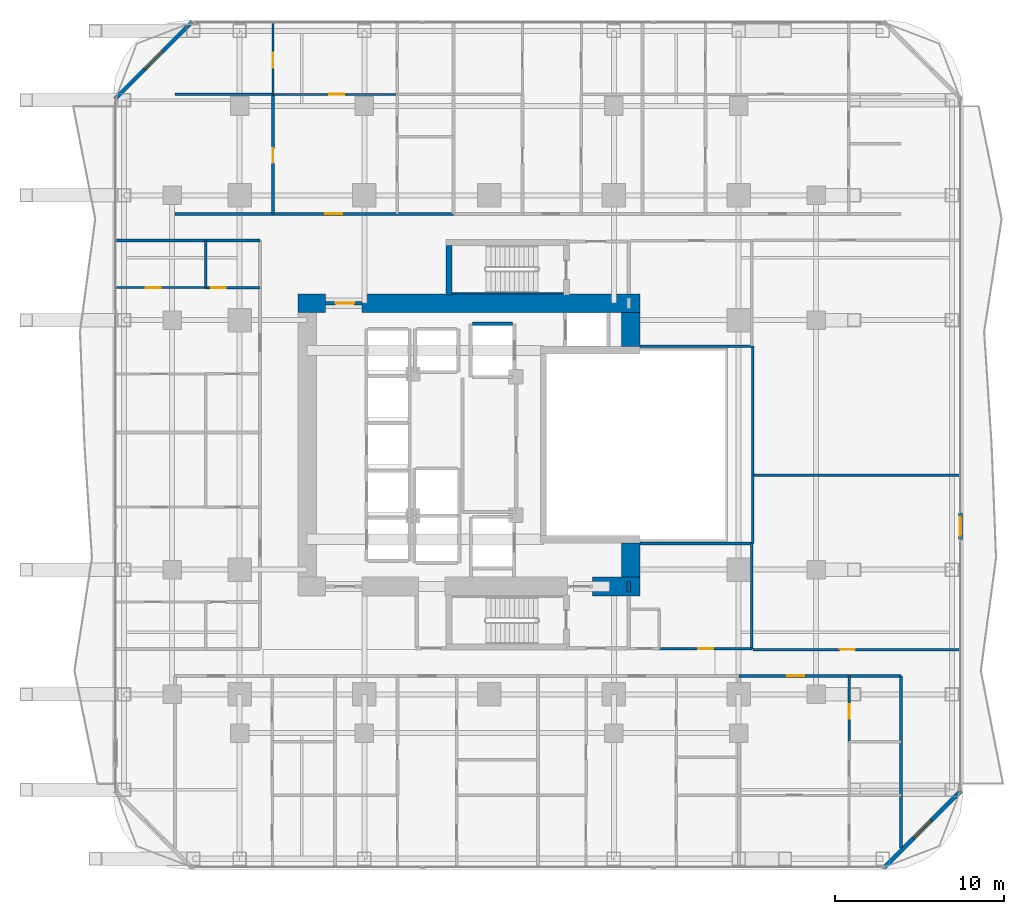
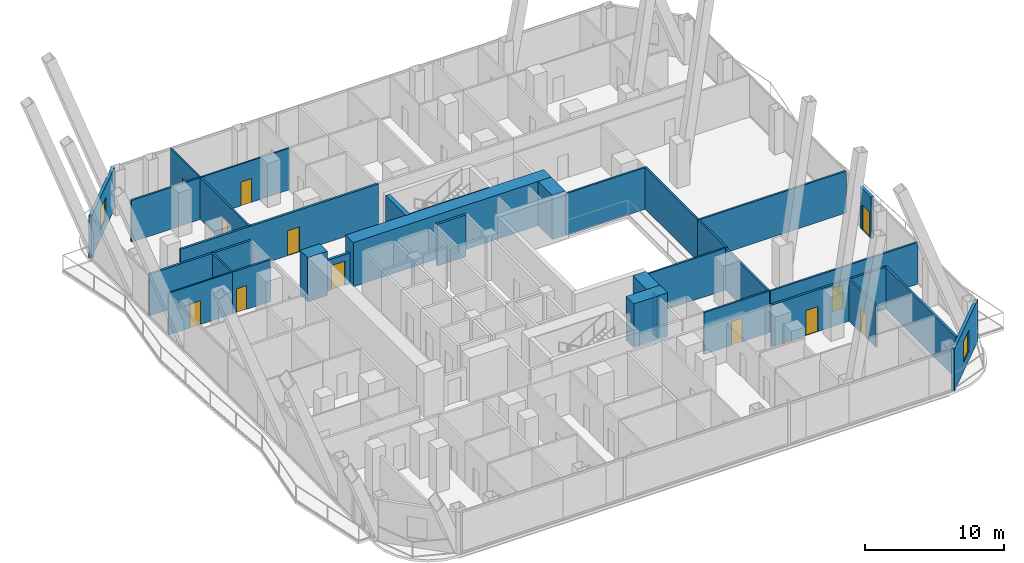
# One storey, part 28 of 33: 33 walls, 12 doors, 2 windows, 14 openings.
"""IFC4 building model written with IfcOpenShell, lengths in metres."""

from ifc_helpers import new_model, si_unit, direction, frame, frame_2d, origin, place, context, subcontext, project, spatial, rectangle, extrude, material, layer, layer_set, type_object, element, fill, save


model = new_model("IFC4")

# Units and contexts
model_context = context("Model", 3, precision=1e-05, world=origin(), true_north=direction((0.0, 1.0)))
body_context = subcontext(model_context, "Body", "Model", "MODEL_VIEW")
ifc_project = project(units=[si_unit("LENGTHUNIT", "METRE"), si_unit("AREAUNIT", "SQUARE_METRE"), si_unit("VOLUMEUNIT", "CUBIC_METRE"), si_unit("PLANEANGLEUNIT", "RADIAN"), si_unit("MASSUNIT", "GRAM", prefix="KILO")], contexts=[model_context])

# Site, building, storey
site_placement = place(None, origin())
site = spatial("IfcSite", under=ifc_project, at=site_placement, CompositionType="ELEMENT")
building_placement = place(site_placement, origin())
building = spatial("IfcBuilding", under=site, at=building_placement, Name="Khorvyn Point Tower", CompositionType="ELEMENT")
storey_placement = place(building_placement, frame((0.0, 0.0, 38.39990234375)))
storey = spatial("IfcBuildingStorey", under=building, at=storey_placement, Name="L10", CompositionType="ELEMENT", Elevation=38.39990234375)

# Wall, opening, door
ifc_material_1 = material(Name="Double acoustic gypsum on twin steel stud", Category="steel")
ifc_layer_1 = layer(ifc_material_1, 0.179931640625)
ifc_layer_set_1 = layer_set([ifc_layer_1], Name="Acoustic Double-Stud Apartment Demising Wall 180")
wall_type_1 = type_object("IfcWallType", Name="Acoustic Double-Stud Apartment Demising Wall 180", PredefinedType="PARTITIONING", material=ifc_layer_set_1)
wall_1_placement = place(storey_placement, frame((-18.6201171875, 13.699951171875, 0.0), z_axis=(0.0, 0.0, 1.0), x_axis=(1.0, 0.0, 0.0)))
wall_1 = element("IfcWall", 1, at=wall_1_placement, inside=storey, type_object=wall_type_1, Name="Wall", PredefinedType="PARTITIONING", context=body_context, shape_type="SweptSolid", body=[
    extrude(rectangle(XDim=16.4990234375, YDim=0.179931640625, at=frame_2d((8.24951171875, 0.0))), origin(), (0.0, 0.0, 1.0), 3.68017578125),
])
opening_1_placement = place(wall_1_placement, frame((8.91015625, 0.0, 0.0)))
opening_1 = element("IfcOpeningElement", 2, at=opening_1_placement, cuts=wall_1, Name="Opening ID-AP60", PredefinedType="OPENING", context=body_context, shape_type="SweptSolid", body=[
    extrude(rectangle(XDim=1.0, YDim=2.199951171875, at=frame_2d((0.5, 1.10009765625))), frame((0.0, 0.099853515625, 0.0), z_axis=(0.0, -1.0, 0.0), x_axis=(1.0, 0.0, 0.0)), (0.0, 0.0, 1.0), 0.199951171875),
])
ifc_material_2 = material(Name="Engineered hardwood fire-rated leaf", Category="wood")
door_type_1 = type_object("IfcDoorType", Name="Acoustic Solid-Core Timber Apartment Entrance Door 1000x2200", OperationType="NOTDEFINED", PredefinedType="DOOR", material=ifc_material_2)
door_1_placement = place(opening_1_placement, origin())
door_1 = element("IfcDoor", 3, at=door_1_placement, inside=storey, type_object=door_type_1, Name="Door", OperationType="SINGLE_SWING_RIGHT", OverallHeight=2.199951171875, OverallWidth=1.0, PredefinedType="DOOR", context=body_context, shape_type="SweptSolid", body=[
    extrude(rectangle(XDim=1.0, YDim=2.199951171875, at=frame_2d((0.5, 1.10009765625))), frame((0.0, 0.02490234375, 0.0), z_axis=(0.0, -1.0, 0.0), x_axis=(1.0, 0.0, 0.0)), (0.0, 0.0, 1.0), 0.050048828125),
])
fill(opening_1, door_1)

wall_2_placement = place(storey_placement, frame((14.822021484375, -13.699951171875, 0.0), z_axis=(0.0, 0.0, 1.0), x_axis=(1.0, 0.0, 0.0)))
wall_2 = element("IfcWall", 4, at=wall_2_placement, inside=storey, type_object=wall_type_1, Name="Wall", PredefinedType="PARTITIONING", context=body_context, shape_type="SweptSolid", body=[
    extrude(rectangle(XDim=9.597900390625, YDim=0.179931640625, at=frame_2d((4.798828125, 0.0))), origin(), (0.0, 0.0, 1.0), 3.68017578125),
])
opening_2_placement = place(wall_2_placement, frame((2.859375, 0.0, 0.0)))
opening_2 = element("IfcOpeningElement", 5, at=opening_2_placement, cuts=wall_2, Name="Opening ID-AP60", PredefinedType="OPENING", context=body_context, shape_type="SweptSolid", body=[
    extrude(rectangle(XDim=1.0, YDim=2.199951171875, at=frame_2d((0.5, 1.10009765625))), frame((0.0, 0.099853515625, 0.0), z_axis=(0.0, -1.0, 0.0), x_axis=(1.0, 0.0, 0.0)), (0.0, 0.0, 1.0), 0.199951171875),
])
door_2_placement = place(opening_2_placement, origin())
door_2 = element("IfcDoor", 6, at=door_2_placement, inside=storey, type_object=door_type_1, Name="Door", OperationType="SINGLE_SWING_LEFT", OverallHeight=2.199951171875, OverallWidth=1.0, PredefinedType="DOOR", context=body_context, shape_type="SweptSolid", body=[
    extrude(rectangle(XDim=1.0, YDim=2.199951171875, at=frame_2d((0.5, 1.10009765625))), frame((0.0, 0.02490234375, 0.0), z_axis=(0.0, -1.0, 0.0), x_axis=(1.0, 0.0, 0.0)), (0.0, 0.0, 1.0), 0.050048828125),
])
fill(opening_2, door_2)

# Walls
wall_3_placement = place(storey_placement, frame((24.419921875, -23.909912109375, 0.0), z_axis=(0.0, 0.0, 1.0), x_axis=(0.0, 1.0, 0.0)))
element("IfcWall", 7, at=wall_3_placement, inside=storey, type_object=wall_type_1, Name="Wall", PredefinedType="PARTITIONING", context=body_context, shape_type="SweptSolid", body=[
    extrude(rectangle(XDim=10.2099609375, YDim=0.179931640625, at=frame_2d((5.10498046875, 0.0))), origin(), (0.0, 0.0, 1.0), 3.68017578125),
])
wall_4_placement = place(storey_placement, frame((-22.1298828125, 12.1201171875, 0.0), z_axis=(0.0, 0.0, 1.0), x_axis=(1.0, 0.0, 0.0)))
element("IfcWall", 8, at=wall_4_placement, inside=storey, type_object=wall_type_1, Name="Wall", PredefinedType="PARTITIONING", context=body_context, shape_type="SweptSolid", body=[
    extrude(rectangle(XDim=8.52978515625, YDim=0.179931640625, at=frame_2d((4.264892578125, 0.0))), origin(), (0.0, 0.0, 1.0), 3.68017578125),
])

# Wall, opening, door
ifc_material_3 = material(Name="Pale anodised aluminium rainscreen on steel stud", Category="steel")
ifc_layer_2 = layer(ifc_material_3, 0.239990234375)
ifc_layer_set_2 = layer_set([ifc_layer_2], Name="Anodised Aluminium Insulated Corner Spandrel Wall 240")
wall_type_2 = type_object("IfcWallType", Name="Anodised Aluminium Insulated Corner Spandrel Wall 240", PredefinedType="SOLIDWALL", material=ifc_layer_set_2)
wall_5_placement = place(storey_placement, frame((27.949951171875, -4.0400390625, 0.0), z_axis=(0.0, 0.0, 1.0), x_axis=(0.0, -1.0, 0.0)))
wall_5 = element("IfcWall", 9, at=wall_5_placement, inside=storey, type_object=wall_type_2, Name="L10 East Outdoor Threshold Wall", PredefinedType="SOLIDWALL", context=body_context, shape_type="SweptSolid", body=[
    extrude(rectangle(XDim=1.580078125, YDim=0.239990234375, at=frame_2d((0.7900390625, 0.0))), origin(), (0.0, 0.0, 1.0), 3.68017578125),
])
opening_3_placement = place(wall_5_placement, frame((0.239990234375, 0.0, 0.0)))
opening_3 = element("IfcOpeningElement", 10, at=opening_3_placement, cuts=wall_5, Name="Opening BD-1122", PredefinedType="OPENING", context=body_context, shape_type="SweptSolid", body=[
    extrude(rectangle(XDim=1.10009765625, YDim=2.199951171875, at=frame_2d((0.550048828125, 1.10009765625))), frame((0.0, 0.1298828125, 0.0), z_axis=(0.0, -1.0, 0.0), x_axis=(1.0, 0.0, 0.0)), (0.0, 0.0, 1.0), 0.260009765625),
])
ifc_material_4 = material(Name="Anodised aluminium 6063-T6 and laminated Low-E glass", Category="aluminium")
door_type_2 = type_object("IfcDoorType", Name="Glazed Balcony and Terrace Threshold Door 1100x2200", OperationType="NOTDEFINED", PredefinedType="DOOR", material=ifc_material_4)
door_3_placement = place(opening_3_placement, origin())
door_3 = element("IfcDoor", 11, at=door_3_placement, inside=storey, type_object=door_type_2, Name="L10 East Glazed Balcony Outdoor Door", OperationType="SINGLE_SWING_LEFT", OverallHeight=2.199951171875, OverallWidth=1.10009765625, PredefinedType="DOOR", context=body_context, shape_type="SweptSolid", body=[
    extrude(rectangle(XDim=1.10009765625, YDim=2.199951171875, at=frame_2d((0.550048828125, 1.10009765625))), frame((0.0, 0.02490234375, 0.0), z_axis=(0.0, -1.0, 0.0), x_axis=(1.0, 0.0, 0.0)), (0.0, 0.0, 1.0), 0.050048828125),
])
fill(opening_3, door_3)

# Wall, opening, window
wall_6_placement = place(storey_placement, frame((-22.1923828125, 20.507568359375, 0.0), z_axis=(0.0, 0.0, 1.0), x_axis=(0.707106781187, 0.707106781187, 0.0)))
wall_6 = element("IfcWall", 12, at=wall_6_placement, inside=storey, type_object=wall_type_2, Name="L10 Rounded Corner Wall NW", PredefinedType="SOLIDWALL", context=body_context, shape_type="SweptSolid", body=[
    extrude(rectangle(XDim=6.48388671875, YDim=0.239990234375, at=frame_2d((3.241943359375, 0.0))), origin(), (0.0, 0.0, 1.0), 3.68017578125),
])
opening_4_placement = place(wall_6_placement, frame((2.491943359375, 0.0, 0.800048828125)))
opening_4 = element("IfcOpeningElement", 13, at=opening_4_placement, cuts=wall_6, Name="Opening WN-1518", PredefinedType="OPENING", context=body_context, shape_type="SweptSolid", body=[
    extrude(rectangle(XDim=1.5, YDim=1.85009765625, at=frame_2d((0.75, 0.925048828125))), frame((0.0, 0.1298828125, 0.0), z_axis=(0.0, -1.0, 0.0), x_axis=(1.0, 0.0, 0.0)), (0.0, 0.0, 1.0), 0.260009765625),
])
window_type = type_object("IfcWindowType", Name="Anodised Aluminium Rounded-Corner Panoramic Window 1500x1850", PartitioningType="SINGLE_PANEL", PredefinedType="WINDOW", material=ifc_material_4)
window_1_placement = place(opening_4_placement, origin())
window_1 = element("IfcWindow", 14, at=window_1_placement, inside=storey, type_object=window_type, Name="L10 Corner Panoramic Window NW", OverallHeight=1.85009765625, OverallWidth=1.5, PartitioningType="SINGLE_PANEL", PredefinedType="WINDOW", context=body_context, shape_type="SweptSolid", body=[
    extrude(rectangle(XDim=1.5, YDim=1.85009765625, at=frame_2d((0.75, 0.925048828125))), frame((0.0, 0.030029296875, 0.0), z_axis=(0.0, -1.0, 0.0), x_axis=(1.0, 0.0, 0.0)), (0.0, 0.0, 1.0), 0.06005859375),
])
fill(opening_4, window_1)

wall_7_placement = place(storey_placement, frame((27.992431640625, -20.507568359375, 0.0), z_axis=(0.0, 0.0, 1.0), x_axis=(-0.707106781187, -0.707106781187, 0.0)))
wall_7 = element("IfcWall", 15, at=wall_7_placement, inside=storey, type_object=wall_type_2, Name="L10 Rounded Corner Wall SE", PredefinedType="SOLIDWALL", context=body_context, shape_type="SweptSolid", body=[
    extrude(rectangle(XDim=6.48388671875, YDim=0.239990234375, at=frame_2d((3.241943359375, 0.0))), origin(), (0.0, 0.0, 1.0), 3.68017578125),
])
opening_5_placement = place(wall_7_placement, frame((2.491943359375, 0.0, 0.800048828125)))
opening_5 = element("IfcOpeningElement", 16, at=opening_5_placement, cuts=wall_7, Name="Opening WN-1518", PredefinedType="OPENING", context=body_context, shape_type="SweptSolid", body=[
    extrude(rectangle(XDim=1.5, YDim=1.85009765625, at=frame_2d((0.75, 0.925048828125))), frame((0.0, 0.1298828125, 0.0), z_axis=(0.0, -1.0, 0.0), x_axis=(1.0, 0.0, 0.0)), (0.0, 0.0, 1.0), 0.260009765625),
])
window_2_placement = place(opening_5_placement, origin())
window_2 = element("IfcWindow", 17, at=window_2_placement, inside=storey, type_object=window_type, Name="L10 Corner Panoramic Window SE", OverallHeight=1.85009765625, OverallWidth=1.5, PartitioningType="SINGLE_PANEL", PredefinedType="WINDOW", context=body_context, shape_type="SweptSolid", body=[
    extrude(rectangle(XDim=1.5, YDim=1.85009765625, at=frame_2d((0.75, 0.925048828125))), frame((0.0, 0.030029296875, 0.0), z_axis=(0.0, -1.0, 0.0), x_axis=(1.0, 0.0, 0.0)), (0.0, 0.0, 1.0), 0.06005859375),
])
fill(opening_5, window_2)

# Wall, opening, door
ifc_material_5 = material(Name="Concrete C40/50", Category="concrete")
ifc_layer_3 = layer(ifc_material_5, 0.199951171875)
ifc_layer_set_3 = layer_set([ifc_layer_3], Name="Concrete C40/50 Fire-Lobby Compartment Wall 200")
wall_type_3 = type_object("IfcWallType", Name="Concrete C40/50 Fire-Lobby Compartment Wall 200", PredefinedType="SOLIDWALL", material=ifc_layer_set_3)
wall_8_placement = place(storey_placement, frame((-9.699951171875, 8.39990234375, 0.0), z_axis=(0.0, 0.0, 1.0), x_axis=(1.0, 0.0, 0.0)))
wall_8 = element("IfcWall", 18, at=wall_8_placement, inside=storey, type_object=wall_type_3, Name="Wall", PredefinedType="SOLIDWALL", context=body_context, shape_type="SweptSolid", body=[
    extrude(rectangle(XDim=2.14990234375, YDim=0.199951171875, at=frame_2d((1.074951171875, 0.0))), origin(), (0.0, 0.0, 1.0), 2.72021484375),
])
opening_6_placement = place(wall_8_placement, frame((0.597900390625, 0.0, 0.0)))
opening_6 = element("IfcOpeningElement", 19, at=opening_6_placement, cuts=wall_8, Name="Opening ID-FL90", PredefinedType="OPENING", context=body_context, shape_type="SweptSolid", body=[
    extrude(rectangle(XDim=1.10009765625, YDim=2.14990234375, at=frame_2d((0.550048828125, 1.074951171875))), frame((0.0, 0.10986328125, 0.0), z_axis=(0.0, -1.0, 0.0), x_axis=(1.0, 0.0, 0.0)), (0.0, 0.0, 1.0), 0.219970703125),
])
ifc_material_6 = material(Name="Galvanised powder-coated steel", Category="steel")
door_type_3 = type_object("IfcDoorType", Name="Fire-Rated Steel Lobby and Stair Door 1100x2150", OperationType="NOTDEFINED", PredefinedType="DOOR", material=ifc_material_6)
door_4_placement = place(opening_6_placement, origin())
door_4 = element("IfcDoor", 20, at=door_4_placement, inside=storey, type_object=door_type_3, Name="Door", OperationType="SINGLE_SWING_RIGHT", OverallHeight=2.14990234375, OverallWidth=1.10009765625, PredefinedType="DOOR", context=body_context, shape_type="SweptSolid", body=[
    extrude(rectangle(XDim=1.10009765625, YDim=2.14990234375, at=frame_2d((0.550048828125, 1.074951171875))), frame((0.0, 0.02490234375, 0.0), z_axis=(0.0, -1.0, 0.0), x_axis=(1.0, 0.0, 0.0)), (0.0, 0.0, 1.0), 0.050048828125),
])
fill(opening_6, door_4)

# Walls
wall_9_placement = place(storey_placement, frame((8.280029296875, -8.72509765625, 0.0), z_axis=(0.0, 0.0, 1.0), x_axis=(0.0, 1.0, 0.0)))
element("IfcWall", 21, at=wall_9_placement, inside=storey, type_object=wall_type_3, Name="Wall", PredefinedType="SOLIDWALL", context=body_context, shape_type="SweptSolid", body=[
    extrude(rectangle(XDim=0.625, YDim=0.199951171875, at=frame_2d((0.3125, 0.0))), origin(), (0.0, 0.0, 1.0), 3.68017578125),
])
ifc_layer_4 = layer(ifc_material_5, 0.25)
ifc_layer_set_4 = layer_set([ifc_layer_4], Name="Concrete C40/50 Stair Inner Cheek Structural Wall 250")
wall_type_4 = type_object("IfcWallType", Name="Concrete C40/50 Stair Inner Cheek Structural Wall 250", PredefinedType="SHEAR", material=ifc_layer_set_4)
wall_10_placement = place(storey_placement, frame((-2.199951171875, 8.987548828125, 0.0), z_axis=(0.0, 0.0, 1.0), x_axis=(1.0, 0.0, 0.0)))
element("IfcWall", 22, at=wall_10_placement, inside=storey, type_object=wall_type_4, Name="Wall", PredefinedType="SHEAR", context=body_context, shape_type="SweptSolid", body=[
    extrude(rectangle(XDim=6.599853515625, YDim=0.074951171875, at=frame_2d((3.2998046875, 0.0))), origin(), (0.0, 0.0, 1.0), 3.900146484375),
])
ifc_layer_5 = layer(ifc_material_5, 0.35009765625)
ifc_layer_set_5 = layer_set([ifc_layer_5], Name="Concrete C40/50 Stair Shaft Structural Wall 350")
wall_type_5 = type_object("IfcWallType", Name="Concrete C40/50 Stair Shaft Structural Wall 350", PredefinedType="SHEAR", material=ifc_layer_set_5)
wall_11_placement = place(storey_placement, frame((-2.3798828125, 8.89990234375, 0.0), z_axis=(0.0, 0.0, 1.0), x_axis=(0.0, 1.0, 0.0)))
element("IfcWall", 23, at=wall_11_placement, inside=storey, type_object=wall_type_5, Name="L10 ST-02 West Shaft Wall", PredefinedType="SHEAR", context=body_context, shape_type="SweptSolid", body=[
    extrude(rectangle(XDim=2.925048828125, YDim=0.35009765625, at=frame_2d((1.46240234375, 0.0))), origin(), (0.0, 0.0, 1.0), 3.900146484375),
])
ifc_layer_6 = layer(ifc_material_5, 0.199951171875)
ifc_layer_set_6 = layer_set([ifc_layer_6], Name="Concrete C40/50 Structural Hoistway and Stair Shaft Wall 200")
wall_type_6 = type_object("IfcWallType", Name="Concrete C40/50 Structural Hoistway and Stair Shaft Wall 200", PredefinedType="SHEAR", material=ifc_layer_set_6)
wall_12_placement = place(storey_placement, frame((-1.0, 7.175048828125, 0.0), z_axis=(0.0, 0.0, 1.0), x_axis=(1.0, 0.0, 0.0)))
element("IfcWall", 24, at=wall_12_placement, inside=storey, type_object=wall_type_6, Name="Wall", PredefinedType="SHEAR", context=body_context, shape_type="SweptSolid", body=[
    extrude(rectangle(XDim=2.39990234375, YDim=0.199951171875, at=frame_2d((1.199951171875, 0.0))), origin(), (0.0, 0.0, 1.0), 3.68017578125),
])
ifc_material_7 = material(Name="Concrete C50/60", Category="concrete")
ifc_layer_7 = layer(ifc_material_7, 1.10009765625)
ifc_layer_set_7 = layer_set([ifc_layer_7], Name="Concrete C50/60 Core Shear Wall 1100")
wall_type_7 = type_object("IfcWallType", Name="Concrete C50/60 Core Shear Wall 1100", PredefinedType="SHEAR", material=ifc_layer_set_7)
wall_13_placement = place(storey_placement, frame((6.1201171875, -8.39990234375, 0.0), z_axis=(0.0, 0.0, 1.0), x_axis=(1.0, 0.0, 0.0)))
element("IfcWall", 25, at=wall_13_placement, inside=storey, type_object=wall_type_7, Name="Wall", PredefinedType="SHEAR", context=body_context, shape_type="SweptSolid", body=[
    extrude(rectangle(XDim=2.829833984375, YDim=1.10009765625, at=frame_2d((1.4150390625, 0.0))), origin(), (0.0, 0.0, 1.0), 3.900146484375),
])
wall_14_placement = place(storey_placement, frame((-11.35009765625, 8.39990234375, 0.0), z_axis=(0.0, 0.0, 1.0), x_axis=(1.0, 0.0, 0.0)))
element("IfcWall", 26, at=wall_14_placement, inside=storey, type_object=wall_type_7, Name="Wall", PredefinedType="SHEAR", context=body_context, shape_type="SweptSolid", body=[
    extrude(rectangle(XDim=1.650146484375, YDim=1.10009765625, at=frame_2d((0.8251953125, 0.0))), origin(), (0.0, 0.0, 1.0), 3.900146484375),
])
wall_15_placement = place(storey_placement, frame((-7.550048828125, 8.39990234375, 0.0), z_axis=(0.0, 0.0, 1.0), x_axis=(1.0, 0.0, 0.0)))
element("IfcWall", 27, at=wall_15_placement, inside=storey, type_object=wall_type_7, Name="Wall", PredefinedType="SHEAR", context=body_context, shape_type="SweptSolid", body=[
    extrude(rectangle(XDim=16.5, YDim=1.10009765625, at=frame_2d((8.25, 0.0))), origin(), (0.0, 0.0, 1.0), 3.900146484375),
])
for number, where, z_axis, x_axis, name in (
    (28, (8.39990234375, -7.85009765625, 0.0), (0.0, 0.0, 1.0), (0.0, 1.0, 0.0), "Wall"),
    (29, (8.39990234375, 5.824951171875, 0.0), (0.0, 0.0, 1.0), (0.0, 1.0, 0.0), "Wall"),
):
    element("IfcWall", number, at=place(storey_placement, frame(where, z_axis=z_axis, x_axis=x_axis)), inside=storey, type_object=wall_type_7, Name=name, PredefinedType="SHEAR", context=body_context, shape_type="SweptSolid", body=[
        extrude(rectangle(XDim=2.025146484375, YDim=1.10009765625, at=frame_2d((1.0126953125, 0.0))), origin(), (0.0, 0.0, 1.0), 3.900146484375),
    ])

# Wall, opening, door
ifc_material_8 = material(Name="Gypsum plasterboard on steel stud", Category="steel")
ifc_layer_8 = layer(ifc_material_8, 0.1201171875)
ifc_layer_set_8 = layer_set([ifc_layer_8], Name="Gypsum Acoustic Stud Room Partition Wall 120")
wall_type_8 = type_object("IfcWallType", Name="Gypsum Acoustic Stud Room Partition Wall 120", PredefinedType="PARTITIONING", material=ifc_layer_set_8)
wall_16_placement = place(storey_placement, frame((-12.818115234375, 20.7900390625, 0.0), z_axis=(0.0, 0.0, 1.0), x_axis=(1.0, 0.0, 0.0)))
wall_16 = element("IfcWall", 30, at=wall_16_placement, inside=storey, type_object=wall_type_8, Name="Wall", PredefinedType="PARTITIONING", context=body_context, shape_type="SweptSolid", body=[
    extrude(rectangle(XDim=7.3681640625, YDim=0.1201171875, at=frame_2d((3.68408203125, 0.0))), origin(), (0.0, 0.0, 1.0), 3.68017578125),
])
opening_7_placement = place(wall_16_placement, frame((3.32177734375, 0.0, 0.0)))
opening_7 = element("IfcOpeningElement", 31, at=opening_7_placement, cuts=wall_16, Name="Opening ID-RM90", PredefinedType="OPENING", context=body_context, shape_type="SweptSolid", body=[
    extrude(rectangle(XDim=0.89990234375, YDim=2.10009765625, at=frame_2d((0.449951171875, 1.050048828125))), frame((0.0, 0.070068359375, 0.0), z_axis=(0.0, -1.0, 0.0), x_axis=(1.0, 0.0, 0.0)), (0.0, 0.0, 1.0), 0.14013671875),
])
ifc_material_9 = material(Name="Engineered oak veneer timber", Category="wood")
door_type_4 = type_object("IfcDoorType", Name="Flush Engineered Timber Room Door 900x2100", OperationType="NOTDEFINED", PredefinedType="DOOR", material=ifc_material_9)
door_5_placement = place(opening_7_placement, origin())
door_5 = element("IfcDoor", 32, at=door_5_placement, inside=storey, type_object=door_type_4, Name="Door", OperationType="SINGLE_SWING_LEFT", OverallHeight=2.10009765625, OverallWidth=0.89990234375, PredefinedType="DOOR", context=body_context, shape_type="SweptSolid", body=[
    extrude(rectangle(XDim=0.89990234375, YDim=2.10009765625, at=frame_2d((0.449951171875, 1.050048828125))), frame((0.0, 0.02490234375, 0.0), z_axis=(0.0, -1.0, 0.0), x_axis=(1.0, 0.0, 0.0)), (0.0, 0.0, 1.0), 0.050048828125),
])
fill(opening_7, door_5)

wall_17_placement = place(storey_placement, frame((-12.818115234375, 20.7900390625, 0.0), z_axis=(0.0, 0.0, 1.0), x_axis=(0.0, 1.0, 0.0)))
wall_17 = element("IfcWall", 33, at=wall_17_placement, inside=storey, type_object=wall_type_8, Name="Wall", PredefinedType="PARTITIONING", context=body_context, shape_type="SweptSolid", body=[
    extrude(rectangle(XDim=4.239990234375, YDim=0.1201171875, at=frame_2d((2.1201171875, 0.0))), origin(), (0.0, 0.0, 1.0), 3.68017578125),
])
opening_8_placement = place(wall_17_placement, frame((1.581298828125, 0.0, 0.0)))
opening_8 = element("IfcOpeningElement", 34, at=opening_8_placement, cuts=wall_17, Name="Opening ID-RM90", PredefinedType="OPENING", context=body_context, shape_type="SweptSolid", body=[
    extrude(rectangle(XDim=0.89990234375, YDim=2.10009765625, at=frame_2d((0.449951171875, 1.050048828125))), frame((0.0, 0.070068359375, 0.0), z_axis=(0.0, -1.0, 0.0), x_axis=(1.0, 0.0, 0.0)), (0.0, 0.0, 1.0), 0.14013671875),
])
door_6_placement = place(opening_8_placement, origin())
door_6 = element("IfcDoor", 35, at=door_6_placement, inside=storey, type_object=door_type_4, Name="Door", OperationType="SINGLE_SWING_LEFT", OverallHeight=2.10009765625, OverallWidth=0.89990234375, PredefinedType="DOOR", context=body_context, shape_type="SweptSolid", body=[
    extrude(rectangle(XDim=0.89990234375, YDim=2.10009765625, at=frame_2d((0.449951171875, 1.050048828125))), frame((0.0, 0.02490234375, 0.0), z_axis=(0.0, -1.0, 0.0), x_axis=(1.0, 0.0, 0.0)), (0.0, 0.0, 1.0), 0.050048828125),
])
fill(opening_8, door_6)

wall_18_placement = place(storey_placement, frame((-22.1298828125, 9.320068359375, 0.0), z_axis=(0.0, 0.0, 1.0), x_axis=(1.0, 0.0, 0.0)))
wall_18 = element("IfcWall", 36, at=wall_18_placement, inside=storey, type_object=wall_type_8, Name="Wall", PredefinedType="PARTITIONING", context=body_context, shape_type="SweptSolid", body=[
    extrude(rectangle(XDim=5.32177734375, YDim=0.1201171875, at=frame_2d((2.660888671875, 0.0))), origin(), (0.0, 0.0, 1.0), 3.68017578125),
])
opening_9_placement = place(wall_18_placement, frame((1.76513671875, 0.0, 0.0)))
opening_9 = element("IfcOpeningElement", 37, at=opening_9_placement, cuts=wall_18, Name="Opening ID-RM90", PredefinedType="OPENING", context=body_context, shape_type="SweptSolid", body=[
    extrude(rectangle(XDim=0.89990234375, YDim=2.10009765625, at=frame_2d((0.449951171875, 1.050048828125))), frame((0.0, 0.070068359375, 0.0), z_axis=(0.0, -1.0, 0.0), x_axis=(1.0, 0.0, 0.0)), (0.0, 0.0, 1.0), 0.14013671875),
])
door_7_placement = place(opening_9_placement, origin())
door_7 = element("IfcDoor", 38, at=door_7_placement, inside=storey, type_object=door_type_4, Name="Door", OperationType="SINGLE_SWING_LEFT", OverallHeight=2.10009765625, OverallWidth=0.89990234375, PredefinedType="DOOR", context=body_context, shape_type="SweptSolid", body=[
    extrude(rectangle(XDim=0.89990234375, YDim=2.10009765625, at=frame_2d((0.449951171875, 1.050048828125))), frame((0.0, 0.02490234375, 0.0), z_axis=(0.0, -1.0, 0.0), x_axis=(1.0, 0.0, 0.0)), (0.0, 0.0, 1.0), 0.050048828125),
])
fill(opening_9, door_7)

ifc_material_10 = material(Name="Moisture-resistant gypsum and cement board", Category="gypsum")
ifc_layer_9 = layer(ifc_material_10, 0.14990234375)
ifc_layer_set_9 = layer_set([ifc_layer_9], Name="Moisture-Resistant Wet-Room Partition Wall 150")
wall_type_9 = type_object("IfcWallType", Name="Moisture-Resistant Wet-Room Partition Wall 150", PredefinedType="PARTITIONING", material=ifc_layer_set_9)
wall_19_placement = place(storey_placement, frame((10.10009765625, -12.10009765625, 0.0), z_axis=(0.0, 0.0, 1.0), x_axis=(1.0, 0.0, 0.0)))
wall_19 = element("IfcWall", 39, at=wall_19_placement, inside=storey, type_object=wall_type_9, Name="Wall", PredefinedType="PARTITIONING", context=body_context, shape_type="SweptSolid", body=[
    extrude(rectangle(XDim=5.47998046875, YDim=0.14990234375, at=frame_2d((2.739990234375, 0.0))), origin(), (0.0, 0.0, 1.0), 3.68017578125),
])
opening_10_placement = place(wall_19_placement, frame((2.2900390625, 0.0, 0.0)))
opening_10 = element("IfcOpeningElement", 40, at=opening_10_placement, cuts=wall_19, Name="Opening ID-RM90", PredefinedType="OPENING", context=body_context, shape_type="SweptSolid", body=[
    extrude(rectangle(XDim=0.89990234375, YDim=2.10009765625, at=frame_2d((0.449951171875, 1.050048828125))), frame((0.0, 0.0849609375, 0.0), z_axis=(0.0, -1.0, 0.0), x_axis=(1.0, 0.0, 0.0)), (0.0, 0.0, 1.0), 0.169921875),
])
door_8_placement = place(opening_10_placement, origin())
door_8 = element("IfcDoor", 41, at=door_8_placement, inside=storey, type_object=door_type_4, Name="Door", OperationType="SINGLE_SWING_RIGHT", OverallHeight=2.10009765625, OverallWidth=0.89990234375, PredefinedType="DOOR", context=body_context, shape_type="SweptSolid", body=[
    extrude(rectangle(XDim=0.89990234375, YDim=2.10009765625, at=frame_2d((0.449951171875, 1.050048828125))), frame((0.0, 0.02490234375, 0.0), z_axis=(0.0, -1.0, 0.0), x_axis=(1.0, 0.0, 0.0)), (0.0, 0.0, 1.0), 0.050048828125),
])
fill(opening_10, door_8)

wall_20_placement = place(storey_placement, frame((-12.818115234375, 13.699951171875, 0.0), z_axis=(0.0, 0.0, 1.0), x_axis=(0.0, 1.0, 0.0)))
wall_20 = element("IfcWall", 42, at=wall_20_placement, inside=storey, type_object=wall_type_9, Name="Wall", PredefinedType="PARTITIONING", context=body_context, shape_type="SweptSolid", body=[
    extrude(rectangle(XDim=7.090087890625, YDim=0.14990234375, at=frame_2d((3.544921875, 0.0))), origin(), (0.0, 0.0, 1.0), 3.68017578125),
])
opening_11_placement = place(wall_20_placement, frame((3.0302734375, 0.0, 0.0)))
opening_11 = element("IfcOpeningElement", 43, at=opening_11_placement, cuts=wall_20, Name="Opening ID-WC85", PredefinedType="OPENING", context=body_context, shape_type="SweptSolid", body=[
    extrude(rectangle(XDim=0.85009765625, YDim=2.10009765625, at=frame_2d((0.425048828125, 1.050048828125))), frame((0.0, 0.0849609375, 0.0), z_axis=(0.0, -1.0, 0.0), x_axis=(1.0, 0.0, 0.0)), (0.0, 0.0, 1.0), 0.169921875),
])
ifc_material_11 = material(Name="High-pressure laminate on moisture-resistant core", Category="wood")
door_type_5 = type_object("IfcDoorType", Name="Moisture-Resistant Accessible Washroom Door 850x2100", OperationType="NOTDEFINED", PredefinedType="DOOR", material=ifc_material_11)
door_9_placement = place(opening_11_placement, origin())
door_9 = element("IfcDoor", 44, at=door_9_placement, inside=storey, type_object=door_type_5, Name="Door", OperationType="SINGLE_SWING_RIGHT", OverallHeight=2.10009765625, OverallWidth=0.85009765625, PredefinedType="DOOR", context=body_context, shape_type="SweptSolid", body=[
    extrude(rectangle(XDim=0.85009765625, YDim=2.10009765625, at=frame_2d((0.425048828125, 1.050048828125))), frame((0.0, 0.02490234375, 0.0), z_axis=(0.0, -1.0, 0.0), x_axis=(1.0, 0.0, 0.0)), (0.0, 0.0, 1.0), 0.050048828125),
])
fill(opening_11, door_9)

wall_21_placement = place(storey_placement, frame((21.35498046875, -17.59912109375, 0.0), z_axis=(0.0, 0.0, 1.0), x_axis=(0.0, 1.0, 0.0)))
wall_21 = element("IfcWall", 45, at=wall_21_placement, inside=storey, type_object=wall_type_9, Name="Wall", PredefinedType="PARTITIONING", context=body_context, shape_type="SweptSolid", body=[
    extrude(rectangle(XDim=3.899169921875, YDim=0.14990234375, at=frame_2d((1.94970703125, 0.0))), origin(), (0.0, 0.0, 1.0), 3.68017578125),
])
opening_12_placement = place(wall_21_placement, frame((1.35400390625, 0.0, 0.0)))
opening_12 = element("IfcOpeningElement", 46, at=opening_12_placement, cuts=wall_21, Name="Opening ID-WC85", PredefinedType="OPENING", context=body_context, shape_type="SweptSolid", body=[
    extrude(rectangle(XDim=0.85009765625, YDim=2.10009765625, at=frame_2d((0.425048828125, 1.050048828125))), frame((0.0, 0.0849609375, 0.0), z_axis=(0.0, -1.0, 0.0), x_axis=(1.0, 0.0, 0.0)), (0.0, 0.0, 1.0), 0.169921875),
])
door_10_placement = place(opening_12_placement, origin())
door_10 = element("IfcDoor", 47, at=door_10_placement, inside=storey, type_object=door_type_5, Name="Door", OperationType="SINGLE_SWING_LEFT", OverallHeight=2.10009765625, OverallWidth=0.85009765625, PredefinedType="DOOR", context=body_context, shape_type="SweptSolid", body=[
    extrude(rectangle(XDim=0.85009765625, YDim=2.10009765625, at=frame_2d((0.425048828125, 1.050048828125))), frame((0.0, 0.02490234375, 0.0), z_axis=(0.0, -1.0, 0.0), x_axis=(1.0, 0.0, 0.0)), (0.0, 0.0, 1.0), 0.050048828125),
])
fill(opening_12, door_10)

wall_22_placement = place(storey_placement, frame((-16.80810546875, 9.320068359375, 0.0), z_axis=(0.0, 0.0, 1.0), x_axis=(1.0, 0.0, 0.0)))
wall_22 = element("IfcWall", 48, at=wall_22_placement, inside=storey, type_object=wall_type_9, Name="Wall", PredefinedType="PARTITIONING", context=body_context, shape_type="SweptSolid", body=[
    extrude(rectangle(XDim=3.2080078125, YDim=0.14990234375, at=frame_2d((1.60400390625, 0.0))), origin(), (0.0, 0.0, 1.0), 3.68017578125),
])
opening_13_placement = place(wall_22_placement, frame((0.329833984375, 0.0, 0.0)))
opening_13 = element("IfcOpeningElement", 49, at=opening_13_placement, cuts=wall_22, Name="Opening ID-WC85", PredefinedType="OPENING", context=body_context, shape_type="SweptSolid", body=[
    extrude(rectangle(XDim=0.85009765625, YDim=2.10009765625, at=frame_2d((0.425048828125, 1.050048828125))), frame((0.0, 0.0849609375, 0.0), z_axis=(0.0, -1.0, 0.0), x_axis=(1.0, 0.0, 0.0)), (0.0, 0.0, 1.0), 0.169921875),
])
door_11_placement = place(opening_13_placement, origin())
door_11 = element("IfcDoor", 50, at=door_11_placement, inside=storey, type_object=door_type_5, Name="Door", OperationType="SINGLE_SWING_RIGHT", OverallHeight=2.10009765625, OverallWidth=0.85009765625, PredefinedType="DOOR", context=body_context, shape_type="SweptSolid", body=[
    extrude(rectangle(XDim=0.85009765625, YDim=2.10009765625, at=frame_2d((0.425048828125, 1.050048828125))), frame((0.0, 0.02490234375, 0.0), z_axis=(0.0, -1.0, 0.0), x_axis=(1.0, 0.0, 0.0)), (0.0, 0.0, 1.0), 0.050048828125),
])
fill(opening_13, door_11)

wall_23_placement = place(storey_placement, frame((15.64990234375, -12.139892578125, 0.0), z_axis=(0.0, 0.0, 1.0), x_axis=(1.0, 0.0, 0.0)))
wall_23 = element("IfcWall", 51, at=wall_23_placement, inside=storey, type_object=wall_type_9, Name="Wall", PredefinedType="PARTITIONING", context=body_context, shape_type="SweptSolid", body=[
    extrude(rectangle(XDim=12.27001953125, YDim=0.14990234375, at=frame_2d((6.135009765625, 0.0))), origin(), (0.0, 0.0, 1.0), 3.68017578125),
])
opening_14_placement = place(wall_23_placement, frame((5.150390625, 0.0, 0.0)))
opening_14 = element("IfcOpeningElement", 52, at=opening_14_placement, cuts=wall_23, Name="Opening ID-RM90", PredefinedType="OPENING", context=body_context, shape_type="SweptSolid", body=[
    extrude(rectangle(XDim=0.89990234375, YDim=2.10009765625, at=frame_2d((0.449951171875, 1.050048828125))), frame((0.0, 0.0849609375, 0.0), z_axis=(0.0, -1.0, 0.0), x_axis=(1.0, 0.0, 0.0)), (0.0, 0.0, 1.0), 0.169921875),
])
door_12_placement = place(opening_14_placement, origin())
door_12 = element("IfcDoor", 53, at=door_12_placement, inside=storey, type_object=door_type_4, Name="Door", OperationType="SINGLE_SWING_RIGHT", OverallHeight=2.10009765625, OverallWidth=0.89990234375, PredefinedType="DOOR", context=body_context, shape_type="SweptSolid", body=[
    extrude(rectangle(XDim=0.89990234375, YDim=2.10009765625, at=frame_2d((0.449951171875, 1.050048828125))), frame((0.0, 0.02490234375, 0.0), z_axis=(0.0, -1.0, 0.0), x_axis=(1.0, 0.0, 0.0)), (0.0, 0.0, 1.0), 0.050048828125),
])
fill(opening_14, door_12)

# Walls
wall_24_placement = place(storey_placement, frame((15.580078125, -12.10009765625, 0.0), z_axis=(0.0, 0.0, 1.0), x_axis=(0.0, 1.0, 0.0)))
element("IfcWall", 54, at=wall_24_placement, inside=storey, type_object=wall_type_9, Name="Wall", PredefinedType="PARTITIONING", context=body_context, shape_type="SweptSolid", body=[
    extrude(rectangle(XDim=6.25, YDim=0.14990234375, at=frame_2d((3.125, 0.0))), origin(), (0.0, 0.0, 1.0), 3.68017578125),
])
for number, where, z_axis, x_axis, name in (
    (55, (8.9599609375, -5.85009765625, 0.0), (0.0, 0.0, 1.0), (1.0, 0.0, 0.0), "Wall"),
    (56, (8.9599609375, 5.85009765625, 0.0), (0.0, 0.0, 1.0), (1.0, 0.0, 0.0), "Wall"),
):
    element("IfcWall", number, at=place(storey_placement, frame(where, z_axis=z_axis, x_axis=x_axis)), inside=storey, type_object=wall_type_9, Name=name, PredefinedType="PARTITIONING", context=body_context, shape_type="SweptSolid", body=[
        extrude(rectangle(XDim=6.6201171875, YDim=0.14990234375, at=frame_2d((3.31005859375, 0.0))), origin(), (0.0, 0.0, 1.0), 3.68017578125),
    ])
wall_25_placement = place(storey_placement, frame((-18.6201171875, 20.7900390625, 0.0), z_axis=(0.0, 0.0, 1.0), x_axis=(1.0, 0.0, 0.0)))
element("IfcWall", 57, at=wall_25_placement, inside=storey, type_object=wall_type_9, Name="Wall", PredefinedType="PARTITIONING", context=body_context, shape_type="SweptSolid", body=[
    extrude(rectangle(XDim=5.802001953125, YDim=0.14990234375, at=frame_2d((2.90087890625, 0.0))), origin(), (0.0, 0.0, 1.0), 3.68017578125),
])
wall_26_placement = place(storey_placement, frame((-16.80810546875, 9.320068359375, 0.0), z_axis=(0.0, 0.0, 1.0), x_axis=(0.0, 1.0, 0.0)))
element("IfcWall", 58, at=wall_26_placement, inside=storey, type_object=wall_type_9, Name="Wall", PredefinedType="PARTITIONING", context=body_context, shape_type="SweptSolid", body=[
    extrude(rectangle(XDim=2.800048828125, YDim=0.14990234375, at=frame_2d((1.39990234375, 0.0))), origin(), (0.0, 0.0, 1.0), 3.68017578125),
])
wall_27_placement = place(storey_placement, frame((15.64990234375, -5.85009765625, 0.0), z_axis=(0.0, 0.0, 1.0), x_axis=(0.0, 1.0, 0.0)))
element("IfcWall", 59, at=wall_27_placement, inside=storey, type_object=wall_type_9, Name="Wall", PredefinedType="PARTITIONING", context=body_context, shape_type="SweptSolid", body=[
    extrude(rectangle(XDim=4.050048828125, YDim=0.14990234375, at=frame_2d((2.02490234375, 0.0))), origin(), (0.0, 0.0, 1.0), 3.68017578125),
])
wall_28_placement = place(storey_placement, frame((15.64990234375, -1.800048828125, 0.0), z_axis=(0.0, 0.0, 1.0), x_axis=(0.0, 1.0, 0.0)))
element("IfcWall", 60, at=wall_28_placement, inside=storey, type_object=wall_type_9, Name="Wall", PredefinedType="PARTITIONING", context=body_context, shape_type="SweptSolid", body=[
    extrude(rectangle(XDim=7.650146484375, YDim=0.14990234375, at=frame_2d((3.8251953125, 0.0))), origin(), (0.0, 0.0, 1.0), 3.68017578125),
])
wall_29_placement = place(storey_placement, frame((15.64990234375, -1.800048828125, 0.0), z_axis=(0.0, 0.0, 1.0), x_axis=(1.0, 0.0, 0.0)))
element("IfcWall", 61, at=wall_29_placement, inside=storey, type_object=wall_type_9, Name="Wall", PredefinedType="PARTITIONING", context=body_context, shape_type="SweptSolid", body=[
    extrude(rectangle(XDim=12.280029296875, YDim=0.14990234375, at=frame_2d((6.14013671875, 0.0))), origin(), (0.0, 0.0, 1.0), 3.68017578125),
])

save(model, "model.ifc")
